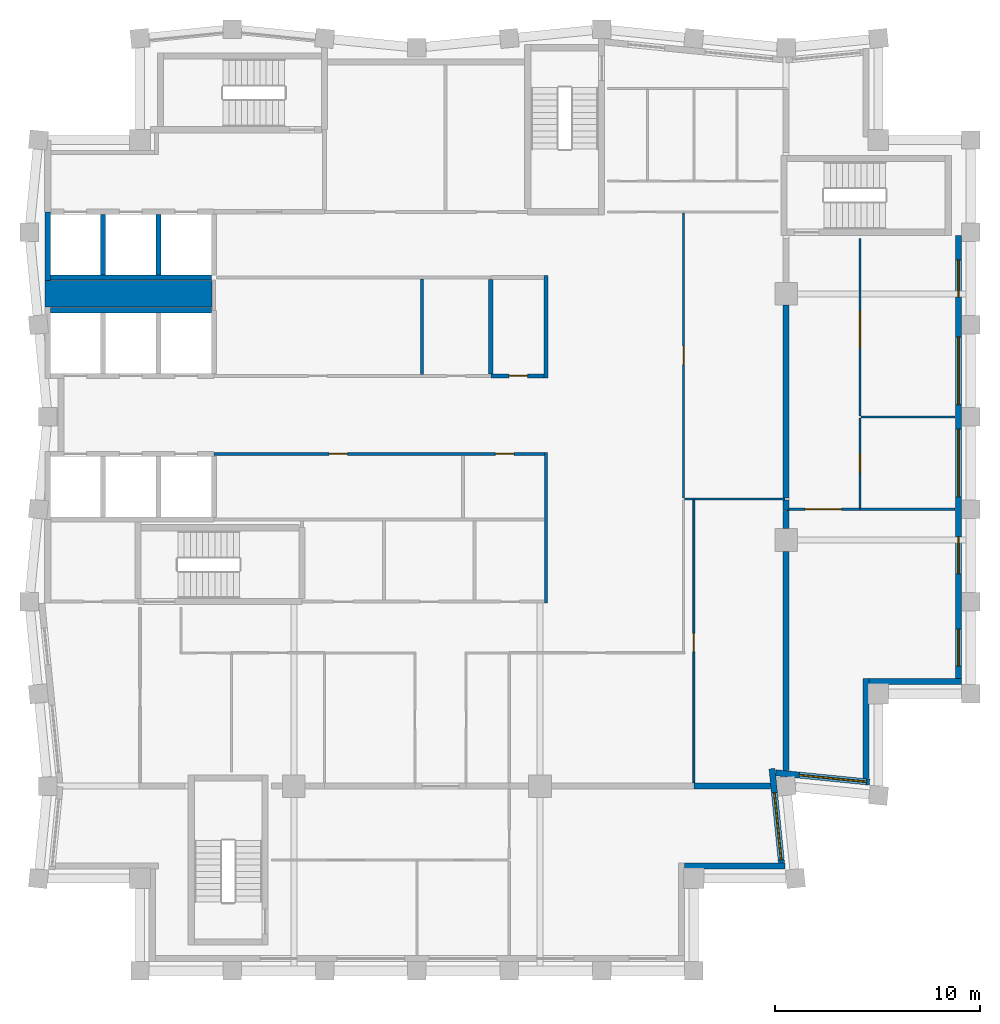
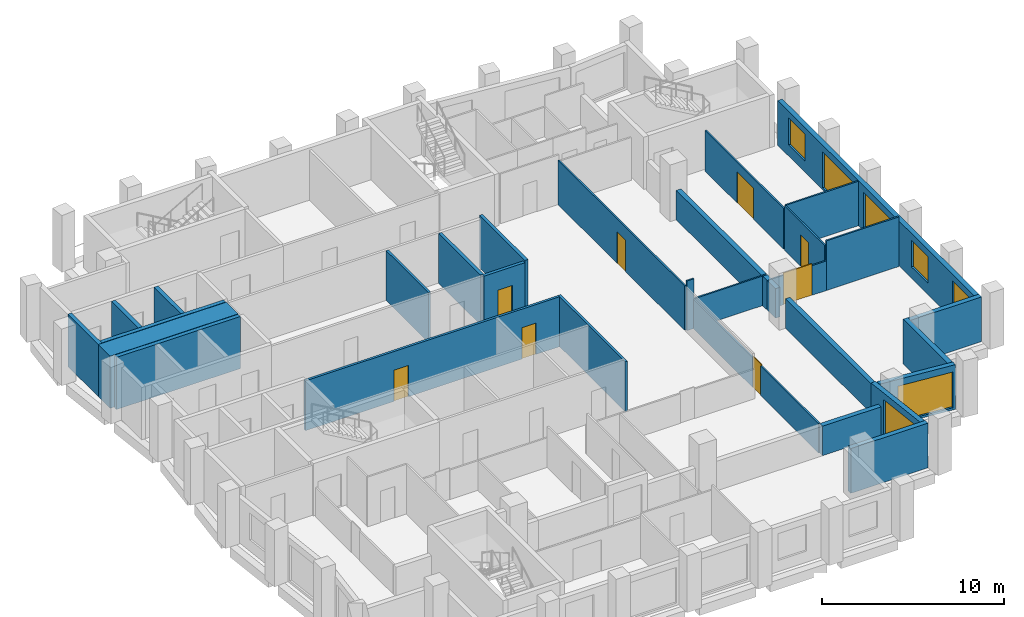
# One storey, part 4 of 7: 32 walls, 8 doors, 7 windows, 15 openings.
"""IFC4 building model written with IfcOpenShell, lengths in metres."""

from ifc_helpers import new_model, si_unit, direction, frame, frame_2d, origin, place, context, subcontext, project, spatial, rectangle, extrude, material, layer, layer_set, type_object, element, fill, save


model = new_model("IFC4")

# Units and contexts
model_context = context("Model", 3, precision=1e-05, world=origin(), true_north=direction((0.0, 1.0)))
body_context = subcontext(model_context, "Body", "Model", "MODEL_VIEW")
ifc_project = project(units=[si_unit("LENGTHUNIT", "METRE"), si_unit("AREAUNIT", "SQUARE_METRE"), si_unit("VOLUMEUNIT", "CUBIC_METRE"), si_unit("PLANEANGLEUNIT", "RADIAN"), si_unit("MASSUNIT", "GRAM", prefix="KILO")], contexts=[model_context])

# Site, building, storey
site_placement = place(None, origin())
site = spatial("IfcSite", under=ifc_project, at=site_placement, CompositionType="ELEMENT")
building_placement = place(site_placement, origin())
building = spatial("IfcBuilding", under=site, at=building_placement, Name="Brondeck Convention Tower", CompositionType="ELEMENT")
storey_placement = place(building_placement, frame((0.0, 0.0, 275.199951171875)))
storey = spatial("IfcBuildingStorey", under=building, at=storey_placement, Name="L68", CompositionType="ELEMENT", Elevation=275.199951171875)

# Walls
ifc_material_1 = material(Name="Concrete compartment wall C30/37", Category="concrete")
ifc_layer_1 = layer(ifc_material_1, 0.300048828125)
ifc_layer_set_1 = layer_set([ifc_layer_1], Name="Compartment wall 300")
wall_type_1 = type_object("IfcWallType", Name="Compartment wall 300", PredefinedType="PARTITIONING", material=ifc_layer_set_1)
wall_1_placement = place(storey_placement, frame((31.5, 27.0, 0.0), z_axis=(0.0, 0.0, 1.0), x_axis=(1.0, 0.0, 0.0)))
element("IfcWall", 1, at=wall_1_placement, inside=storey, type_object=wall_type_1, Name="FLR-L68-W019", PredefinedType="PARTITIONING", context=body_context, shape_type="SweptSolid", body=[
    extrude(rectangle(XDim=3.726318359375, YDim=0.300048828125, at=frame_2d((1.86328125, 0.0))), origin(), (0.0, 0.0, 1.0), 1.97998046875),
])
wall_2_placement = place(storey_placement, frame((36.0, 27.773681640625, 0.0), z_axis=(0.0, 0.0, 1.0), x_axis=(0.0, 1.0, 0.0)))
element("IfcWall", 2, at=wall_2_placement, inside=storey, type_object=wall_type_1, Name="FLR-L68-W023", PredefinedType="PARTITIONING", context=body_context, shape_type="SweptSolid", body=[
    extrude(rectangle(XDim=10.67138671875, YDim=0.300048828125, at=frame_2d((5.335693359375, 0.0))), origin(), (0.0, 0.0, 1.0), 1.97998046875),
])
wall_3_placement = place(storey_placement, frame((36.0, 39.554931640625, 0.0), z_axis=(0.0, 0.0, 1.0), x_axis=(0.0, 1.0, 0.0)))
element("IfcWall", 3, at=wall_3_placement, inside=storey, type_object=wall_type_1, Name="FLR-L68-W035", PredefinedType="PARTITIONING", context=body_context, shape_type="SweptSolid", body=[
    extrude(rectangle(XDim=0.89501953125, YDim=0.300048828125, at=frame_2d((0.447509765625, 0.0))), origin(), (0.0, 0.0, 1.0), 1.97998046875),
])
wall_4_placement = place(storey_placement, frame((36.0, 40.455078125, 0.0), z_axis=(0.0, 0.0, 1.0), x_axis=(0.0, 1.0, 0.0)))
element("IfcWall", 4, at=wall_4_placement, inside=storey, type_object=wall_type_1, Name="FLR-L68-W038", PredefinedType="PARTITIONING", context=body_context, shape_type="SweptSolid", body=[
    extrude(rectangle(XDim=0.494873046875, YDim=0.300048828125, at=frame_2d((0.24755859375, 0.0))), origin(), (0.0, 0.0, 1.0), 1.97998046875),
])
wall_5_placement = place(storey_placement, frame((36.0, 41.050048828125, 0.0), z_axis=(0.0, 0.0, 1.0), x_axis=(0.0, 1.0, 0.0)))
element("IfcWall", 5, at=wall_5_placement, inside=storey, type_object=wall_type_1, Name="FLR-L68-W043", PredefinedType="PARTITIONING", context=body_context, shape_type="SweptSolid", body=[
    extrude(rectangle(XDim=9.39501953125, YDim=0.300048828125, at=frame_2d((4.697509765625, 0.0))), origin(), (0.0, 0.0, 1.0), 1.97998046875),
])
ifc_material_2 = material(Name="Concrete C50/60", Category="concrete")
ifc_layer_2 = layer(ifc_material_2, 0.199951171875)
ifc_layer_set_2 = layer_set([ifc_layer_2], Name="Core beam-seat wall 200 Concrete C50/60")
wall_type_2 = type_object("IfcWallType", Name="Core beam-seat wall 200 Concrete C50/60", PredefinedType="SHEAR", material=ifc_layer_set_2)
wall_6_placement = place(storey_placement, frame((24.300048828125, 46.89990234375, 0.0), z_axis=(0.0, 0.0, 1.0), x_axis=(0.0, 1.0, 0.0)))
element("IfcWall", 6, at=wall_6_placement, inside=storey, type_object=wall_type_2, Name="L68 core wall", PredefinedType="SHEAR", context=body_context, shape_type="SweptSolid", body=[
    extrude(rectangle(XDim=5.0, YDim=0.199951171875, at=frame_2d((2.5, 0.0))), origin(), (0.0, 0.0, 1.0), 3.5),
])

# Wall, openings, doors
ifc_material_3 = material(Name="Fire-rated gypsum board partition")
ifc_layer_3 = layer(ifc_material_3, 0.14990234375)
ifc_layer_set_3 = layer_set([ifc_layer_3], Name="Core partition 150 EI 60")
wall_type_3 = type_object("IfcWallType", Name="Core partition 150 EI 60", PredefinedType="PARTITIONING", material=ifc_layer_set_3)
wall_7_placement = place(storey_placement, frame((8.10009765625, 43.199951171875, 0.0), z_axis=(0.0, 0.0, 1.0), x_axis=(1.0, 0.0, 0.0)))
wall_7 = element("IfcWall", 7, at=wall_7_placement, inside=storey, type_object=wall_type_3, Name="L68 core wall", PredefinedType="PARTITIONING", context=body_context, shape_type="SweptSolid", body=[
    extrude(rectangle(XDim=16.125, YDim=0.14990234375, at=frame_2d((8.0625, 0.0))), origin(), (0.0, 0.0, 1.0), 3.35009765625),
])
opening_1_placement = place(wall_7_placement, frame((5.625, 0.0, 0.0)))
opening_1 = element("IfcOpeningElement", 8, at=opening_1_placement, cuts=wall_7, Name="Opening C38-09", PredefinedType="OPENING", context=body_context, shape_type="SweptSolid", body=[
    extrude(rectangle(XDim=0.89990234375, YDim=2.10009765625, at=frame_2d((0.449951171875, 1.050048828125))), frame((0.0, 0.0849609375, 0.0), z_axis=(0.0, -1.0, 0.0), x_axis=(1.0, 0.0, 0.0)), (0.0, 0.0, 1.0), 0.169921875),
])
opening_2_placement = place(wall_7_placement, frame((13.72509765625, 0.0, 0.0)))
opening_2 = element("IfcOpeningElement", 9, at=opening_2_placement, cuts=wall_7, Name="Opening C38-10", PredefinedType="OPENING", context=body_context, shape_type="SweptSolid", body=[
    extrude(rectangle(XDim=0.89990234375, YDim=2.10009765625, at=frame_2d((0.449951171875, 1.050048828125))), frame((0.0, 0.0849609375, 0.0), z_axis=(0.0, -1.0, 0.0), x_axis=(1.0, 0.0, 0.0)), (0.0, 0.0, 1.0), 0.169921875),
])
ifc_material_4 = material(Name="Steel fire door", Category="steel")
door_type_1 = type_object("IfcDoorType", Name="Room door 900x2100 EI 60", OperationType="NOTDEFINED", PredefinedType="DOOR", material=ifc_material_4)
door_1_placement = place(opening_1_placement, origin())
door_1 = element("IfcDoor", 10, at=door_1_placement, inside=storey, type_object=door_type_1, Name="L68 Room door FZ-S-8.1-1", OperationType="SINGLE_SWING_RIGHT", OverallHeight=2.10009765625, OverallWidth=0.89990234375, PredefinedType="DOOR", context=body_context, shape_type="SweptSolid", body=[
    extrude(rectangle(XDim=0.89990234375, YDim=2.10009765625, at=frame_2d((0.449951171875, 1.050048828125))), frame((0.0, 0.02490234375, 0.0), z_axis=(0.0, -1.0, 0.0), x_axis=(1.0, 0.0, 0.0)), (0.0, 0.0, 1.0), 0.050048828125),
])
fill(opening_1, door_1)
door_2_placement = place(opening_2_placement, origin())
door_2 = element("IfcDoor", 11, at=door_2_placement, inside=storey, type_object=door_type_1, Name="L68 Room door FZ-S-8.1-2", OperationType="SINGLE_SWING_LEFT", OverallHeight=2.10009765625, OverallWidth=0.89990234375, PredefinedType="DOOR", context=body_context, shape_type="SweptSolid", body=[
    extrude(rectangle(XDim=0.89990234375, YDim=2.10009765625, at=frame_2d((0.449951171875, 1.050048828125))), frame((0.0, 0.02490234375, 0.0), z_axis=(0.0, -1.0, 0.0), x_axis=(1.0, 0.0, 0.0)), (0.0, 0.0, 1.0), 0.050048828125),
])
fill(opening_2, door_2)

# Walls
wall_8_placement = place(storey_placement, frame((18.25, 47.074951171875, 0.0), z_axis=(0.0, 0.0, 1.0), x_axis=(0.0, 1.0, 0.0)))
element("IfcWall", 12, at=wall_8_placement, inside=storey, type_object=wall_type_3, Name="L68 core wall", PredefinedType="PARTITIONING", context=body_context, shape_type="SweptSolid", body=[
    extrude(rectangle(XDim=4.650146484375, YDim=0.14990234375, at=frame_2d((2.3251953125, 0.0))), origin(), (0.0, 0.0, 1.0), 3.35009765625),
])
wall_9_placement = place(storey_placement, frame((24.300048828125, 35.925048828125, 0.0), z_axis=(0.0, 0.0, 1.0), x_axis=(0.0, 1.0, 0.0)))
element("IfcWall", 13, at=wall_9_placement, inside=storey, type_object=wall_type_3, Name="L68 core wall", PredefinedType="PARTITIONING", context=body_context, shape_type="SweptSolid", body=[
    extrude(rectangle(XDim=7.349853515625, YDim=0.14990234375, at=frame_2d((3.6748046875, 0.0))), origin(), (0.0, 0.0, 1.0), 3.35009765625),
])
ifc_layer_4 = layer(ifc_material_2, 1.300048828125)
ifc_layer_set_4 = layer_set([ifc_layer_4], Name="Core shear wall 1300 Concrete C50/60")
wall_type_4 = type_object("IfcWallType", Name="Core shear wall 1300 Concrete C50/60", PredefinedType="SHEAR", material=ifc_layer_set_4)
wall_10_placement = place(storey_placement, frame((-0.125, 51.0, 0.0), z_axis=(0.0, 0.0, 1.0), x_axis=(1.0, 0.0, 0.0)))
element("IfcWall", 14, at=wall_10_placement, inside=storey, type_object=wall_type_4, Name="L68 core wall", PredefinedType="SHEAR", context=body_context, shape_type="SweptSolid", body=[
    extrude(rectangle(XDim=8.125, YDim=1.300048828125, at=frame_2d((4.0625, 0.0))), origin(), (0.0, 0.0, 1.0), 3.5),
])
ifc_material_5 = material(Name="Precast concrete C50/60 bronze finish", Category="concrete")
ifc_layer_5 = layer(ifc_material_5, 0.070068359375, Name="Bronze precast facing")
ifc_material_6 = material(Name="Mineral wool")
ifc_layer_6 = layer(ifc_material_6, 0.159912109375, Name="Insulation")
ifc_material_7 = material(Name="Concrete C35/45", Category="concrete")
ifc_layer_7 = layer(ifc_material_7, 0.070068359375, Name="Backing")
ifc_layer_set_5 = layer_set([ifc_layer_5, ifc_layer_6, ifc_layer_7], Name="External infill wall, precast concrete C50/60 bronze facing")
wall_type_5 = type_object("IfcWallType", Name="External infill wall, precast concrete C50/60 bronze facing", PredefinedType="SOLIDWALL", material=ifc_layer_set_5)
wall_11_placement = place(storey_placement, frame((35.952880859375, 23.10009765625, 0.0), z_axis=(0.0, 0.0, 1.0), x_axis=(-1.0, 0.0, 0.0)))
element("IfcWall", 15, at=wall_11_placement, inside=storey, type_object=wall_type_5, Name="ENV-EW-L68-P3-NC-SEB18-02", PredefinedType="SOLIDWALL", context=body_context, shape_type="SweptSolid", body=[
    extrude(rectangle(XDim=4.90283203125, YDim=0.300048828125, at=frame_2d((2.451416015625, 0.0))), origin(), (0.0, 0.0, 1.0), 3.0),
])

# Wall, opening, window
wall_12_placement = place(storey_placement, frame((35.311767578125, 27.852294921875, 0.0), z_axis=(0.0, 0.0, 1.0), x_axis=(0.099503719021, -0.99503719021, 0.0)))
wall_12 = element("IfcWall", 16, at=wall_12_placement, inside=storey, type_object=wall_type_5, Name="ENV-EW-L68-P3-B-E-00", PredefinedType="SOLIDWALL", context=body_context, shape_type="SweptSolid", body=[
    extrude(rectangle(XDim=4.6201171875, YDim=0.300048828125, at=frame_2d((2.31005859375, 0.0))), origin(), (0.0, 0.0, 1.0), 3.0),
])
opening_3_placement = place(wall_12_placement, frame((1.170166015625, 0.0, 0.14990234375)))
opening_3 = element("IfcOpeningElement", 17, at=opening_3_placement, cuts=wall_12, Name="Opening W9", PredefinedType="OPENING", context=body_context, shape_type="SweptSolid", body=[
    extrude(rectangle(XDim=3.300048828125, YDim=2.39990234375, at=frame_2d((1.64990234375, 1.199951171875))), frame((0.0, 0.159912109375, 0.0), z_axis=(0.0, -1.0, 0.0), x_axis=(1.0, 0.0, 0.0)), (0.0, 0.0, 1.0), 0.320068359375),
])
ifc_material_8 = material(Name="Bronze tinted double glazing", Category="glass")
window_type_1 = type_object("IfcWindowType", Name="Glazed flute window, bronze tinted", PartitioningType="SINGLE_PANEL", PredefinedType="WINDOW", material=ifc_material_8)
window_1_placement = place(opening_3_placement, origin())
window_1 = element("IfcWindow", 18, at=window_1_placement, inside=storey, type_object=window_type_1, Name="ENV-WN-L68-P3-B-E-00", OverallHeight=2.39990234375, OverallWidth=3.300048828125, PartitioningType="SINGLE_PANEL", PredefinedType="WINDOW", context=body_context, shape_type="SweptSolid", body=[
    extrude(rectangle(XDim=3.300048828125, YDim=2.39990234375, at=frame_2d((1.64990234375, 1.199951171875))), frame((0.0, 0.030029296875, 0.0), z_axis=(0.0, -1.0, 0.0), x_axis=(1.0, 0.0, 0.0)), (0.0, 0.0, 1.0), 0.06005859375),
])
fill(opening_3, window_1)

wall_13_placement = place(storey_placement, frame((40.06494140625, 27.196533203125, 0.0), z_axis=(0.0, 0.0, 1.0), x_axis=(-0.995036663613, 0.099508984853, 0.0)))
wall_13 = element("IfcWall", 19, at=wall_13_placement, inside=storey, type_object=wall_type_5, Name="ENV-EW-L68-P3-A-S-00", PredefinedType="SOLIDWALL", context=body_context, shape_type="SweptSolid", body=[
    extrude(rectangle(XDim=4.59033203125, YDim=0.300048828125, at=frame_2d((2.295166015625, 0.0))), origin(), (0.0, 0.0, 1.0), 3.0),
])
opening_4_placement = place(wall_13_placement, frame((0.14990234375, 0.0, 0.14990234375)))
opening_4 = element("IfcOpeningElement", 20, at=opening_4_placement, cuts=wall_13, Name="Opening W9", PredefinedType="OPENING", context=body_context, shape_type="SweptSolid", body=[
    extrude(rectangle(XDim=3.300048828125, YDim=2.39990234375, at=frame_2d((1.64990234375, 1.199951171875))), frame((0.0, 0.159912109375, 0.0), z_axis=(0.0, -1.0, 0.0), x_axis=(1.0, 0.0, 0.0)), (0.0, 0.0, 1.0), 0.320068359375),
])
window_2_placement = place(opening_4_placement, origin())
window_2 = element("IfcWindow", 21, at=window_2_placement, inside=storey, type_object=window_type_1, Name="ENV-WN-L68-P3-A-S-00", OverallHeight=2.39990234375, OverallWidth=3.300048828125, PartitioningType="SINGLE_PANEL", PredefinedType="WINDOW", context=body_context, shape_type="SweptSolid", body=[
    extrude(rectangle(XDim=3.300048828125, YDim=2.39990234375, at=frame_2d((1.64990234375, 1.199951171875))), frame((0.0, 0.030029296875, 0.0), z_axis=(0.0, -1.0, 0.0), x_axis=(1.0, 0.0, 0.0)), (0.0, 0.0, 1.0), 0.06005859375),
])
fill(opening_4, window_2)

# Walls
wall_14_placement = place(storey_placement, frame((39.89990234375, 32.25, 0.0), z_axis=(0.0, 0.0, 1.0), x_axis=(0.0, -1.0, 0.0)))
element("IfcWall", 22, at=wall_14_placement, inside=storey, type_object=wall_type_5, Name="ENV-EW-L68-P3-NC-SEA45-01", PredefinedType="SOLIDWALL", context=body_context, shape_type="SweptSolid", body=[
    extrude(rectangle(XDim=4.881103515625, YDim=0.300048828125, at=frame_2d((2.4404296875, 0.0))), origin(), (0.0, 0.0, 1.0), 3.0),
])
wall_15_placement = place(storey_placement, frame((44.550048828125, 32.10009765625, 0.0), z_axis=(0.0, 0.0, 1.0), x_axis=(-1.0, 0.0, 0.0)))
element("IfcWall", 23, at=wall_15_placement, inside=storey, type_object=wall_type_5, Name="ENV-EW-L68-P3-NC-SEA45-02", PredefinedType="SOLIDWALL", context=body_context, shape_type="SweptSolid", body=[
    extrude(rectangle(XDim=4.501953125, YDim=0.300048828125, at=frame_2d((2.2509765625, 0.0))), origin(), (0.0, 0.0, 1.0), 3.0),
])

# Wall, openings, windows
wall_16_placement = place(storey_placement, frame((44.39990234375, 53.85009765625, 0.0), z_axis=(0.0, 0.0, 1.0), x_axis=(0.0, -1.0, 0.0)))
wall_16 = element("IfcWall", 24, at=wall_16_placement, inside=storey, type_object=wall_type_5, Name="ENV-EW-L68-P3-A-E45-01", PredefinedType="SOLIDWALL", context=body_context, shape_type="SweptSolid", body=[
    extrude(rectangle(XDim=21.60205078125, YDim=0.300048828125, at=frame_2d((10.801025390625, 0.0))), origin(), (0.0, 0.0, 1.0), 3.0),
])
opening_5_placement = place(wall_16_placement, frame((1.199951171875, 0.0, 0.75)))
opening_5 = element("IfcOpeningElement", 25, at=opening_5_placement, cuts=wall_16, Name="Opening W10", PredefinedType="OPENING", context=body_context, shape_type="SweptSolid", body=[
    extrude(rectangle(XDim=1.800048828125, YDim=1.800048828125, at=frame_2d((0.89990234375, 0.89990234375))), frame((0.0, 0.159912109375, 0.0), z_axis=(0.0, -1.0, 0.0), x_axis=(1.0, 0.0, 0.0)), (0.0, 0.0, 1.0), 0.320068359375),
])
opening_6_placement = place(wall_16_placement, frame((4.949951171875, 0.0, 0.14990234375)))
opening_6 = element("IfcOpeningElement", 26, at=opening_6_placement, cuts=wall_16, Name="Opening W9", PredefinedType="OPENING", context=body_context, shape_type="SweptSolid", body=[
    extrude(rectangle(XDim=3.300048828125, YDim=2.39990234375, at=frame_2d((1.64990234375, 1.199951171875))), frame((0.0, 0.159912109375, 0.0), z_axis=(0.0, -1.0, 0.0), x_axis=(1.0, 0.0, 0.0)), (0.0, 0.0, 1.0), 0.320068359375),
])
opening_7_placement = place(wall_16_placement, frame((9.449951171875, 0.0, 0.14990234375)))
opening_7 = element("IfcOpeningElement", 27, at=opening_7_placement, cuts=wall_16, Name="Opening W9", PredefinedType="OPENING", context=body_context, shape_type="SweptSolid", body=[
    extrude(rectangle(XDim=3.300048828125, YDim=2.39990234375, at=frame_2d((1.64990234375, 1.199951171875))), frame((0.0, 0.159912109375, 0.0), z_axis=(0.0, -1.0, 0.0), x_axis=(1.0, 0.0, 0.0)), (0.0, 0.0, 1.0), 0.320068359375),
])
opening_8_placement = place(wall_16_placement, frame((14.699951171875, 0.0, 0.75)))
opening_8 = element("IfcOpeningElement", 28, at=opening_8_placement, cuts=wall_16, Name="Opening W10", PredefinedType="OPENING", context=body_context, shape_type="SweptSolid", body=[
    extrude(rectangle(XDim=1.800048828125, YDim=1.800048828125, at=frame_2d((0.89990234375, 0.89990234375))), frame((0.0, 0.159912109375, 0.0), z_axis=(0.0, -1.0, 0.0), x_axis=(1.0, 0.0, 0.0)), (0.0, 0.0, 1.0), 0.320068359375),
])
opening_9_placement = place(wall_16_placement, frame((19.199951171875, 0.0, 0.75)))
opening_9 = element("IfcOpeningElement", 29, at=opening_9_placement, cuts=wall_16, Name="Opening W10", PredefinedType="OPENING", context=body_context, shape_type="SweptSolid", body=[
    extrude(rectangle(XDim=1.800048828125, YDim=1.800048828125, at=frame_2d((0.89990234375, 0.89990234375))), frame((0.0, 0.159912109375, 0.0), z_axis=(0.0, -1.0, 0.0), x_axis=(1.0, 0.0, 0.0)), (0.0, 0.0, 1.0), 0.320068359375),
])
window_3_placement = place(opening_6_placement, origin())
window_3 = element("IfcWindow", 30, at=window_3_placement, inside=storey, type_object=window_type_1, Name="ENV-WN-L68-P3-A-E45-04", OverallHeight=2.39990234375, OverallWidth=3.300048828125, PartitioningType="SINGLE_PANEL", PredefinedType="WINDOW", context=body_context, shape_type="SweptSolid", body=[
    extrude(rectangle(XDim=3.300048828125, YDim=2.39990234375, at=frame_2d((1.64990234375, 1.199951171875))), frame((0.0, 0.030029296875, 0.0), z_axis=(0.0, -1.0, 0.0), x_axis=(1.0, 0.0, 0.0)), (0.0, 0.0, 1.0), 0.06005859375),
])
fill(opening_6, window_3)
window_4_placement = place(opening_7_placement, origin())
window_4 = element("IfcWindow", 31, at=window_4_placement, inside=storey, type_object=window_type_1, Name="ENV-WN-L68-P3-A-E45-03", OverallHeight=2.39990234375, OverallWidth=3.300048828125, PartitioningType="SINGLE_PANEL", PredefinedType="WINDOW", context=body_context, shape_type="SweptSolid", body=[
    extrude(rectangle(XDim=3.300048828125, YDim=2.39990234375, at=frame_2d((1.64990234375, 1.199951171875))), frame((0.0, 0.030029296875, 0.0), z_axis=(0.0, -1.0, 0.0), x_axis=(1.0, 0.0, 0.0)), (0.0, 0.0, 1.0), 0.06005859375),
])
fill(opening_7, window_4)
window_type_2 = type_object("IfcWindowType", Name="Punched window, bronze tinted", PartitioningType="SINGLE_PANEL", PredefinedType="WINDOW", material=ifc_material_8)
window_5_placement = place(opening_5_placement, origin())
window_5 = element("IfcWindow", 32, at=window_5_placement, inside=storey, type_object=window_type_2, Name="ENV-WN-L68-P3-A-E45-05", OverallHeight=1.800048828125, OverallWidth=1.800048828125, PartitioningType="SINGLE_PANEL", PredefinedType="WINDOW", context=body_context, shape_type="SweptSolid", body=[
    extrude(rectangle(XDim=1.800048828125, YDim=1.800048828125, at=frame_2d((0.89990234375, 0.89990234375))), frame((0.0, 0.030029296875, 0.0), z_axis=(0.0, -1.0, 0.0), x_axis=(1.0, 0.0, 0.0)), (0.0, 0.0, 1.0), 0.06005859375),
])
fill(opening_5, window_5)
window_6_placement = place(opening_8_placement, origin())
window_6 = element("IfcWindow", 33, at=window_6_placement, inside=storey, type_object=window_type_2, Name="ENV-WN-L68-P3-A-E45-02", OverallHeight=1.800048828125, OverallWidth=1.800048828125, PartitioningType="SINGLE_PANEL", PredefinedType="WINDOW", context=body_context, shape_type="SweptSolid", body=[
    extrude(rectangle(XDim=1.800048828125, YDim=1.800048828125, at=frame_2d((0.89990234375, 0.89990234375))), frame((0.0, 0.030029296875, 0.0), z_axis=(0.0, -1.0, 0.0), x_axis=(1.0, 0.0, 0.0)), (0.0, 0.0, 1.0), 0.06005859375),
])
fill(opening_8, window_6)
window_7_placement = place(opening_9_placement, origin())
window_7 = element("IfcWindow", 34, at=window_7_placement, inside=storey, type_object=window_type_2, Name="ENV-WN-L68-P3-A-E45-01", OverallHeight=1.800048828125, OverallWidth=1.800048828125, PartitioningType="SINGLE_PANEL", PredefinedType="WINDOW", context=body_context, shape_type="SweptSolid", body=[
    extrude(rectangle(XDim=1.800048828125, YDim=1.800048828125, at=frame_2d((0.89990234375, 0.89990234375))), frame((0.0, 0.030029296875, 0.0), z_axis=(0.0, -1.0, 0.0), x_axis=(1.0, 0.0, 0.0)), (0.0, 0.0, 1.0), 0.06005859375),
])
fill(opening_9, window_7)

# Walls
ifc_layer_8 = layer(ifc_material_2, 0.25)
ifc_layer_set_6 = layer_set([ifc_layer_8], Name="Lift shaft wall 250 Concrete C50/60")
wall_type_6 = type_object("IfcWallType", Name="Lift shaft wall 250 Concrete C50/60", PredefinedType="SHEAR", material=ifc_layer_set_6)
for number, where, z_axis, x_axis, name in (
    (35, (0.125, 50.199951171875, 0.0), (0.0, 0.0, 1.0), (1.0, 0.0, 0.0), "L68 core wall"),
    (36, (0.125, 51.800048828125, 0.0), (0.0, 0.0, 1.0), (1.0, 0.0, 0.0), "L68 core wall"),
):
    element("IfcWall", number, at=place(storey_placement, frame(where, z_axis=z_axis, x_axis=x_axis)), inside=storey, type_object=wall_type_6, Name=name, PredefinedType="SHEAR", context=body_context, shape_type="SweptSolid", body=[
        extrude(rectangle(XDim=7.85009765625, YDim=0.25, at=frame_2d((3.925048828125, 0.0))), origin(), (0.0, 0.0, 1.0), 3.5),
    ])
wall_17_placement = place(storey_placement, frame((0.0, 51.64990234375, 0.0), z_axis=(0.0, 0.0, 1.0), x_axis=(0.0, 1.0, 0.0)))
element("IfcWall", 37, at=wall_17_placement, inside=storey, type_object=wall_type_6, Name="L68 core wall", PredefinedType="SHEAR", context=body_context, shape_type="SweptSolid", body=[
    extrude(rectangle(XDim=3.35009765625, YDim=0.25, at=frame_2d((1.675048828125, 0.0))), origin(), (0.0, 0.0, 1.0), 3.5),
])
for number, where, z_axis, x_axis, name in (
    (38, (2.699951171875, 51.925048828125, 0.0), (0.0, 0.0, 1.0), (0.0, 1.0, 0.0), "L68 core wall"),
    (39, (5.39990234375, 51.925048828125, 0.0), (0.0, 0.0, 1.0), (0.0, 1.0, 0.0), "L68 core wall"),
):
    element("IfcWall", number, at=place(storey_placement, frame(where, z_axis=z_axis, x_axis=x_axis)), inside=storey, type_object=wall_type_6, Name=name, PredefinedType="SHEAR", context=body_context, shape_type="SweptSolid", body=[
        extrude(rectangle(XDim=2.949951171875, YDim=0.25, at=frame_2d((1.47509765625, 0.0))), origin(), (0.0, 0.0, 1.0), 3.5),
    ])

# Wall, opening, door
ifc_layer_9 = layer(ifc_material_3, 0.199951171875)
ifc_layer_set_7 = layer_set([ifc_layer_9], Name="Riser wall 200 EI 120")
wall_type_7 = type_object("IfcWallType", Name="Riser wall 200 EI 120", PredefinedType="PARTITIONING", material=ifc_layer_set_7)
wall_18_placement = place(storey_placement, frame((21.60009765625, 47.0, 0.0), z_axis=(0.0, 0.0, 1.0), x_axis=(1.0, 0.0, 0.0)))
wall_18 = element("IfcWall", 40, at=wall_18_placement, inside=storey, type_object=wall_type_7, Name="L68 core wall", PredefinedType="PARTITIONING", context=body_context, shape_type="SweptSolid", body=[
    extrude(rectangle(XDim=2.599853515625, YDim=0.199951171875, at=frame_2d((1.2998046875, 0.0))), origin(), (0.0, 0.0, 1.0), 3.35009765625),
])
opening_10_placement = place(wall_18_placement, frame((0.89990234375, 0.0, 0.0)))
opening_10 = element("IfcOpeningElement", 41, at=opening_10_placement, cuts=wall_18, Name="Opening C38-02", PredefinedType="OPENING", context=body_context, shape_type="SweptSolid", body=[
    extrude(rectangle(XDim=0.89990234375, YDim=2.10009765625, at=frame_2d((0.449951171875, 1.050048828125))), frame((0.0, 0.10986328125, 0.0), z_axis=(0.0, -1.0, 0.0), x_axis=(1.0, 0.0, 0.0)), (0.0, 0.0, 1.0), 0.219970703125),
])
door_type_2 = type_object("IfcDoorType", Name="Riser door 900x2100 EI 120", OperationType="NOTDEFINED", PredefinedType="DOOR", material=ifc_material_4)
door_3_placement = place(opening_10_placement, origin())
door_3 = element("IfcDoor", 42, at=door_3_placement, inside=storey, type_object=door_type_2, Name="L68 Riser door EN-1", OperationType="SINGLE_SWING_LEFT", OverallHeight=2.10009765625, OverallWidth=0.89990234375, PredefinedType="DOOR", context=body_context, shape_type="SweptSolid", body=[
    extrude(rectangle(XDim=0.89990234375, YDim=2.10009765625, at=frame_2d((0.449951171875, 1.050048828125))), frame((0.0, 0.02490234375, 0.0), z_axis=(0.0, -1.0, 0.0), x_axis=(1.0, 0.0, 0.0)), (0.0, 0.0, 1.0), 0.050048828125),
])
fill(opening_10, door_3)

# Wall
wall_19_placement = place(storey_placement, frame((21.60009765625, 47.10009765625, 0.0), z_axis=(0.0, 0.0, 1.0), x_axis=(0.0, 1.0, 0.0)))
element("IfcWall", 43, at=wall_19_placement, inside=storey, type_object=wall_type_7, Name="L68 core wall", PredefinedType="PARTITIONING", context=body_context, shape_type="SweptSolid", body=[
    extrude(rectangle(XDim=4.599853515625, YDim=0.199951171875, at=frame_2d((2.2998046875, 0.0))), origin(), (0.0, 0.0, 1.0), 3.35009765625),
])

# Wall, opening, door
ifc_material_9 = material(Name="Gypsum board partition on steel studs", Category="steel")
ifc_layer_10 = layer(ifc_material_9, 0.10009765625)
ifc_layer_set_8 = layer_set([ifc_layer_10], Name="Room partition 100")
wall_type_8 = type_object("IfcWallType", Name="Room partition 100", PredefinedType="PARTITIONING", material=ifc_layer_set_8)
wall_20_placement = place(storey_placement, frame((39.60009765625, 40.5, 0.0), z_axis=(0.0, 0.0, 1.0), x_axis=(-1.0, 0.0, 0.0)))
wall_20 = element("IfcWall", 44, at=wall_20_placement, inside=storey, type_object=wall_type_8, Name="FLR-L68-W036", PredefinedType="PARTITIONING", context=body_context, shape_type="SweptSolid", body=[
    extrude(rectangle(XDim=3.550048828125, YDim=0.10009765625, at=frame_2d((1.77490234375, 0.0))), origin(), (0.0, 0.0, 1.0), 1.97998046875),
])
opening_11_placement = place(wall_20_placement, frame((0.89990234375, 0.0, 0.0)))
opening_11 = element("IfcOpeningElement", 45, at=opening_11_placement, cuts=wall_20, Name="Opening EX-D-003", PredefinedType="OPENING", context=body_context, shape_type="SweptSolid", body=[
    extrude(rectangle(XDim=1.800048828125, YDim=2.10009765625, at=frame_2d((0.89990234375, 1.050048828125))), frame((0.0, 0.06005859375, 0.0), z_axis=(0.0, -1.0, 0.0), x_axis=(1.0, 0.0, 0.0)), (0.0, 0.0, 1.0), 0.1201171875),
])
ifc_material_10 = material(Name="Glazed timber double door", Category="wood")
door_type_3 = type_object("IfcDoorType", Name="Double door 1800", OperationType="DOUBLE_DOOR_SINGLE_SWING", PredefinedType="DOOR", material=ifc_material_10)
door_4_placement = place(opening_11_placement, origin())
door_4 = element("IfcDoor", 46, at=door_4_placement, inside=storey, type_object=door_type_3, Name="Door EX-D-003", OperationType="DOUBLE_DOOR_SINGLE_SWING", OverallHeight=2.10009765625, OverallWidth=1.800048828125, PredefinedType="DOOR", context=body_context, shape_type="SweptSolid", body=[
    extrude(rectangle(XDim=1.800048828125, YDim=2.10009765625, at=frame_2d((0.89990234375, 1.050048828125))), frame((0.0, 0.02490234375, 0.0), z_axis=(0.0, -1.0, 0.0), x_axis=(1.0, 0.0, 0.0)), (0.0, 0.0, 1.0), 0.050048828125),
])
fill(opening_11, door_4)

# Wall
wall_21_placement = place(storey_placement, frame((44.22998046875, 40.5, 0.0), z_axis=(0.0, 0.0, 1.0), x_axis=(-1.0, 0.0, 0.0)))
element("IfcWall", 47, at=wall_21_placement, inside=storey, type_object=wall_type_8, Name="FLR-L68-W037", PredefinedType="PARTITIONING", context=body_context, shape_type="SweptSolid", body=[
    extrude(rectangle(XDim=4.6298828125, YDim=0.10009765625, at=frame_2d((2.31494140625, 0.0))), origin(), (0.0, 0.0, 1.0), 3.330078125),
])

# Wall, opening, door
wall_22_placement = place(storey_placement, frame((31.5, 40.949951171875, 0.0), z_axis=(0.0, 0.0, 1.0), x_axis=(0.0, -1.0, 0.0)))
wall_22 = element("IfcWall", 48, at=wall_22_placement, inside=storey, type_object=wall_type_8, Name="FLR-L68-W040", PredefinedType="PARTITIONING", context=body_context, shape_type="SweptSolid", body=[
    extrude(rectangle(XDim=13.780029296875, YDim=0.10009765625, at=frame_2d((6.89013671875, 0.0))), origin(), (0.0, 0.0, 1.0), 1.97998046875),
])
opening_12_placement = place(wall_22_placement, frame((6.5, 0.0, 0.0)))
opening_12 = element("IfcOpeningElement", 49, at=opening_12_placement, cuts=wall_22, Name="Opening EX-D-019", PredefinedType="OPENING", context=body_context, shape_type="SweptSolid", body=[
    extrude(rectangle(XDim=0.89990234375, YDim=2.10009765625, at=frame_2d((0.449951171875, 1.050048828125))), frame((0.0, 0.06005859375, 0.0), z_axis=(0.0, -1.0, 0.0), x_axis=(1.0, 0.0, 0.0)), (0.0, 0.0, 1.0), 0.1201171875),
])
ifc_material_11 = material(Name="Solid timber door leaf", Category="wood")
door_type_4 = type_object("IfcDoorType", Name="Single door 900", OperationType="NOTDEFINED", PredefinedType="DOOR", material=ifc_material_11)
door_5_placement = place(opening_12_placement, origin())
door_5 = element("IfcDoor", 50, at=door_5_placement, inside=storey, type_object=door_type_4, Name="Door EX-D-019", OperationType="SINGLE_SWING_LEFT", OverallHeight=2.10009765625, OverallWidth=0.89990234375, PredefinedType="DOOR", context=body_context, shape_type="SweptSolid", body=[
    extrude(rectangle(XDim=0.89990234375, YDim=2.10009765625, at=frame_2d((0.449951171875, 1.050048828125))), frame((0.0, 0.02490234375, 0.0), z_axis=(0.0, -1.0, 0.0), x_axis=(1.0, 0.0, 0.0)), (0.0, 0.0, 1.0), 0.050048828125),
])
fill(opening_12, door_5)

# Walls
wall_23_placement = place(storey_placement, frame((31.050048828125, 41.0, 0.0), z_axis=(0.0, 0.0, 1.0), x_axis=(1.0, 0.0, 0.0)))
element("IfcWall", 51, at=wall_23_placement, inside=storey, type_object=wall_type_8, Name="FLR-L68-W041", PredefinedType="PARTITIONING", context=body_context, shape_type="SweptSolid", body=[
    extrude(rectangle(XDim=0.449951171875, YDim=0.10009765625, at=frame_2d((0.22509765625, 0.0))), origin(), (0.0, 0.0, 1.0), 3.330078125),
])
wall_24_placement = place(storey_placement, frame((35.949951171875, 41.0, 0.0), z_axis=(0.0, 0.0, 1.0), x_axis=(-1.0, 0.0, 0.0)))
element("IfcWall", 52, at=wall_24_placement, inside=storey, type_object=wall_type_8, Name="FLR-L68-W042", PredefinedType="PARTITIONING", context=body_context, shape_type="SweptSolid", body=[
    extrude(rectangle(XDim=4.449951171875, YDim=0.10009765625, at=frame_2d((2.22509765625, 0.0))), origin(), (0.0, 0.0, 1.0), 1.97998046875),
])

# Wall, opening, door
wall_25_placement = place(storey_placement, frame((39.60009765625, 44.949951171875, 0.0), z_axis=(0.0, 0.0, 1.0), x_axis=(0.0, -1.0, 0.0)))
wall_25 = element("IfcWall", 53, at=wall_25_placement, inside=storey, type_object=wall_type_8, Name="FLR-L68-W044", PredefinedType="PARTITIONING", context=body_context, shape_type="SweptSolid", body=[
    extrude(rectangle(XDim=4.39990234375, YDim=0.10009765625, at=frame_2d((2.199951171875, 0.0))), origin(), (0.0, 0.0, 1.0), 2.97998046875),
])
opening_13_placement = place(wall_25_placement, frame((1.75, 0.0, 0.0)))
opening_13 = element("IfcOpeningElement", 54, at=opening_13_placement, cuts=wall_25, Name="Opening EX-D-001", PredefinedType="OPENING", context=body_context, shape_type="SweptSolid", body=[
    extrude(rectangle(XDim=0.89990234375, YDim=2.10009765625, at=frame_2d((0.449951171875, 1.050048828125))), frame((0.0, 0.06005859375, 0.0), z_axis=(0.0, -1.0, 0.0), x_axis=(1.0, 0.0, 0.0)), (0.0, 0.0, 1.0), 0.1201171875),
])
door_6_placement = place(opening_13_placement, origin())
door_6 = element("IfcDoor", 55, at=door_6_placement, inside=storey, type_object=door_type_4, Name="Door EX-D-001", OperationType="SINGLE_SWING_RIGHT", OverallHeight=2.10009765625, OverallWidth=0.89990234375, PredefinedType="DOOR", context=body_context, shape_type="SweptSolid", body=[
    extrude(rectangle(XDim=0.89990234375, YDim=2.10009765625, at=frame_2d((0.449951171875, 1.050048828125))), frame((0.0, 0.02490234375, 0.0), z_axis=(0.0, -1.0, 0.0), x_axis=(1.0, 0.0, 0.0)), (0.0, 0.0, 1.0), 0.050048828125),
])
fill(opening_13, door_6)

# Wall
wall_26_placement = place(storey_placement, frame((39.64990234375, 45.0, 0.0), z_axis=(0.0, 0.0, 1.0), x_axis=(1.0, 0.0, 0.0)))
element("IfcWall", 56, at=wall_26_placement, inside=storey, type_object=wall_type_8, Name="FLR-L68-W045", PredefinedType="PARTITIONING", context=body_context, shape_type="SweptSolid", body=[
    extrude(rectangle(XDim=4.580078125, YDim=0.10009765625, at=frame_2d((2.2900390625, 0.0))), origin(), (0.0, 0.0, 1.0), 2.97998046875),
])

# Wall, opening, door
wall_27_placement = place(storey_placement, frame((39.60009765625, 53.699951171875, 0.0), z_axis=(0.0, 0.0, 1.0), x_axis=(0.0, -1.0, 0.0)))
wall_27 = element("IfcWall", 57, at=wall_27_placement, inside=storey, type_object=wall_type_8, Name="FLR-L68-W047", PredefinedType="PARTITIONING", context=body_context, shape_type="SweptSolid", body=[
    extrude(rectangle(XDim=8.64990234375, YDim=0.10009765625, at=frame_2d((4.324951171875, 0.0))), origin(), (0.0, 0.0, 1.0), 2.72998046875),
])
opening_14_placement = place(wall_27_placement, frame((3.550048828125, 0.0, 0.0)))
opening_14 = element("IfcOpeningElement", 58, at=opening_14_placement, cuts=wall_27, Name="Opening EX-D-002", PredefinedType="OPENING", context=body_context, shape_type="SweptSolid", body=[
    extrude(rectangle(XDim=1.800048828125, YDim=2.10009765625, at=frame_2d((0.89990234375, 1.050048828125))), frame((0.0, 0.06005859375, 0.0), z_axis=(0.0, -1.0, 0.0), x_axis=(1.0, 0.0, 0.0)), (0.0, 0.0, 1.0), 0.1201171875),
])
door_7_placement = place(opening_14_placement, origin())
door_7 = element("IfcDoor", 59, at=door_7_placement, inside=storey, type_object=door_type_3, Name="Door EX-D-002", OperationType="DOUBLE_DOOR_SINGLE_SWING", OverallHeight=2.10009765625, OverallWidth=1.800048828125, PredefinedType="DOOR", context=body_context, shape_type="SweptSolid", body=[
    extrude(rectangle(XDim=1.800048828125, YDim=2.10009765625, at=frame_2d((0.89990234375, 1.050048828125))), frame((0.0, 0.02490234375, 0.0), z_axis=(0.0, -1.0, 0.0), x_axis=(1.0, 0.0, 0.0)), (0.0, 0.0, 1.0), 0.050048828125),
])
fill(opening_14, door_7)

wall_28_placement = place(storey_placement, frame((31.0, 54.949951171875, 0.0), z_axis=(0.0, 0.0, 1.0), x_axis=(0.0, -1.0, 0.0)))
wall_28 = element("IfcWall", 60, at=wall_28_placement, inside=storey, type_object=wall_type_8, Name="FLR-L68-W048", PredefinedType="PARTITIONING", context=body_context, shape_type="SweptSolid", body=[
    extrude(rectangle(XDim=13.89990234375, YDim=0.10009765625, at=frame_2d((6.949951171875, 0.0))), origin(), (0.0, 0.0, 1.0), 2.97998046875),
])
opening_15_placement = place(wall_28_placement, frame((6.5, 0.0, 0.0)))
opening_15 = element("IfcOpeningElement", 61, at=opening_15_placement, cuts=wall_28, Name="Opening EX-D-017", PredefinedType="OPENING", context=body_context, shape_type="SweptSolid", body=[
    extrude(rectangle(XDim=0.89990234375, YDim=2.10009765625, at=frame_2d((0.449951171875, 1.050048828125))), frame((0.0, 0.06005859375, 0.0), z_axis=(0.0, -1.0, 0.0), x_axis=(1.0, 0.0, 0.0)), (0.0, 0.0, 1.0), 0.1201171875),
])
door_8_placement = place(opening_15_placement, origin())
door_8 = element("IfcDoor", 62, at=door_8_placement, inside=storey, type_object=door_type_4, Name="Door EX-D-017", OperationType="SINGLE_SWING_LEFT", OverallHeight=2.10009765625, OverallWidth=0.89990234375, PredefinedType="DOOR", context=body_context, shape_type="SweptSolid", body=[
    extrude(rectangle(XDim=0.89990234375, YDim=2.10009765625, at=frame_2d((0.449951171875, 1.050048828125))), frame((0.0, 0.02490234375, 0.0), z_axis=(0.0, -1.0, 0.0), x_axis=(1.0, 0.0, 0.0)), (0.0, 0.0, 1.0), 0.050048828125),
])
fill(opening_15, door_8)

save(model, "model.ifc")
